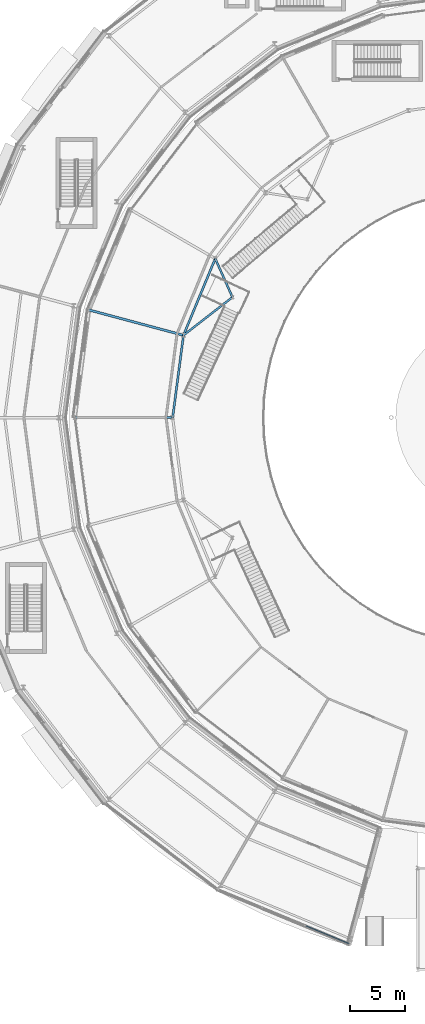
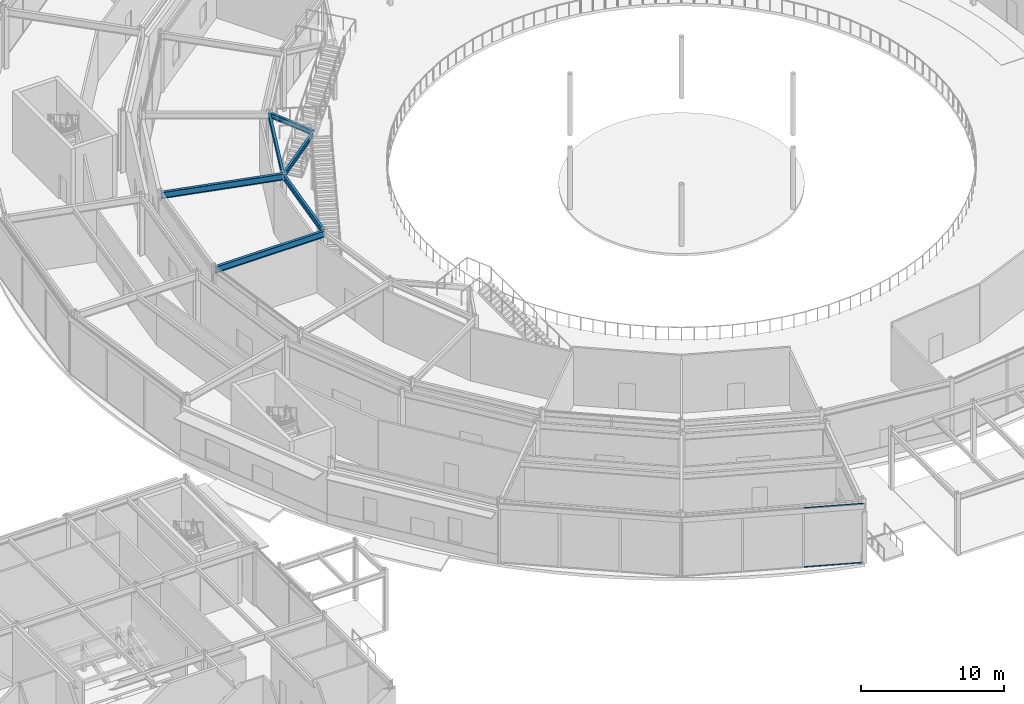
# One storey, part 40 of 168: 6 beams, 2 members, 1 element without a shape of its own.
"""IFC4 building model written with IfcOpenShell, lengths in metres."""

from ifc_helpers import new_model, si_unit, direction, frame, origin, origin_2d, place, context, subcontext, project, spatial, hollow_rectangle, i_section, extrude, material, material_profile, profile_set, type_object, element, aggregate, save


model = new_model("IFC4")

# Units and contexts
model_context = context("Model", 3, precision=1e-05, world=origin(), true_north=direction((0.0, 1.0)))
body_context = subcontext(model_context, "Body", "Model", "MODEL_VIEW")
ifc_project = project(units=[si_unit("LENGTHUNIT", "METRE"), si_unit("AREAUNIT", "SQUARE_METRE"), si_unit("VOLUMEUNIT", "CUBIC_METRE"), si_unit("PLANEANGLEUNIT", "RADIAN"), si_unit("MASSUNIT", "GRAM", prefix="KILO")], contexts=[model_context])

# Site, building, storey
site_placement = place(None, origin())
site = spatial("IfcSite", under=ifc_project, at=site_placement, CompositionType="ELEMENT")
building_placement = place(site_placement, origin())
building = spatial("IfcBuilding", under=site, at=building_placement, Name="Almandine Court Research Institute", CompositionType="ELEMENT")
storey_placement = place(building_placement, origin())
storey = spatial("IfcBuildingStorey", under=building, at=storey_placement, Name="L00", CompositionType="ELEMENT", Elevation=0.0)

# Beams
ifc_material_1 = material(Name="Steel ASTM A992 Grade 50", Category="steel")
ifc_material_profile_1 = material_profile(ifc_material_1, i_section(OverallWidth=0.18994140625, OverallDepth=0.45703125, WebThickness=0.009033203125, FlangeThickness=0.014892578125, at=origin_2d()), Name="W460x74")
ifc_profile_set_1 = profile_set([ifc_material_profile_1], Name="Steel ASTM A992 Grade 50")
beam_type_1 = type_object("IfcBeamType", Name="Beam-B-01", PredefinedType="BEAM", material=ifc_profile_set_1)
beam_1_placement = place(storey_placement, frame((62.05810546875, 70.39990234375, 4.841064453125), z_axis=(-0.382700732442, -0.923872366395, 0.0), x_axis=(0.923872366395, -0.382700732442, 0.0)))
element("IfcBeam", 1, at=beam_1_placement, inside=storey, type_object=beam_type_1, Name="L00 Atrium Gallery Edge Beam", PredefinedType="BEAM", context=body_context, shape_type="SweptSolid", body=[
    extrude(i_section(OverallWidth=0.18994140625, OverallDepth=0.45703125, WebThickness=0.009033203125, FlangeThickness=0.014892578125, at=origin_2d()), origin(), (0.0, 0.0, 1.0), 7.51806640625),
])
beam_2_placement = place(storey_placement, frame((59.180908203125, 63.4541015625, 4.841064453125), z_axis=(-0.130474672489, -0.991451642713, 0.0), x_axis=(0.991451642713, -0.130474672489, 0.0)))
element("IfcBeam", 2, at=beam_2_placement, inside=storey, type_object=beam_type_1, Name="L00 Atrium Gallery Edge Beam", PredefinedType="BEAM", context=body_context, shape_type="SweptSolid", body=[
    extrude(i_section(OverallWidth=0.18994140625, OverallDepth=0.45703125, WebThickness=0.009033203125, FlangeThickness=0.014892578125, at=origin_2d()), origin(), (0.0, 0.0, 1.0), 7.518310546875),
])
ifc_material_profile_2 = material_profile(ifc_material_1, i_section(OverallWidth=0.178955078125, OverallDepth=0.409912109375, WebThickness=0.009033203125, FlangeThickness=0.013916015625, at=origin_2d()), Name="W410x67")
ifc_profile_set_2 = profile_set([ifc_material_profile_2], Name="Steel ASTM A992 Grade 50")
beam_type_2 = type_object("IfcBeamType", Name="Beam-B-02", PredefinedType="JOIST", material=ifc_profile_set_2)
beam_3_placement = place(storey_placement, frame((63.616943359375, 66.904052734375, 4.864990234375), z_axis=(-0.407256671854, 0.913313748517, 0.0), x_axis=(-0.913313748517, -0.407256671854, 0.0)))
element("IfcBeam", 3, at=beam_3_placement, inside=storey, type_object=beam_type_2, Name="L00 Atrium Stair 4 Landing Support Beam 1", PredefinedType="JOIST", context=body_context, shape_type="SweptSolid", body=[
    extrude(i_section(OverallWidth=0.178955078125, OverallDepth=0.409912109375, WebThickness=0.009033203125, FlangeThickness=0.013916015625, at=origin_2d()), origin(), (0.0, 0.0, 1.0), 3.82763671875),
])
beam_4_placement = place(storey_placement, frame((63.616943359375, 66.904052734375, 4.864990234375), z_axis=(-0.789377948914, -0.613907528679, 0.0), x_axis=(0.613907528679, -0.789377948914, 0.0)))
element("IfcBeam", 4, at=beam_4_placement, inside=storey, type_object=beam_type_2, Name="L00 Atrium Stair 4 Landing Support Beam 2", PredefinedType="JOIST", context=body_context, shape_type="SweptSolid", body=[
    extrude(i_section(OverallWidth=0.178955078125, OverallDepth=0.409912109375, WebThickness=0.009033203125, FlangeThickness=0.013916015625, at=origin_2d()), origin(), (0.0, 0.0, 1.0), 5.61962890625),
])
ifc_material_profile_3 = material_profile(ifc_material_1, i_section(OverallWidth=0.2109375, OverallDepth=0.5390625, WebThickness=0.011962890625, FlangeThickness=0.01904296875, at=origin_2d()), Name="W530x109")
ifc_profile_set_3 = profile_set([ifc_material_profile_3], Name="Steel ASTM A992 Grade 50")
beam_type_3 = type_object("IfcBeamType", Name="Beam-G-04", PredefinedType="BEAM", material=ifc_profile_set_3)
beam_5_placement = place(storey_placement, frame((59.180908203125, 63.4541015625, 4.801025390625), z_axis=(-0.965908147944, 0.258885012576, 0.0), x_axis=(-0.258885012576, -0.965908147944, 0.0)))
element("IfcBeam", 5, at=beam_5_placement, inside=storey, type_object=beam_type_3, Name="L00 Atrium Gallery Radial Girder", PredefinedType="BEAM", context=body_context, shape_type="SweptSolid", body=[
    extrude(i_section(OverallWidth=0.2109375, OverallDepth=0.5390625, WebThickness=0.011962890625, FlangeThickness=0.01904296875, at=origin_2d()), origin(), (0.0, 0.0, 1.0), 8.849609375),
])
beam_6_placement = place(storey_placement, frame((58.199951171875, 56.0, 4.801025390625), z_axis=(-1.0, 0.0, 0.0), x_axis=(0.0, -1.0, 0.0)))
element("IfcBeam", 6, at=beam_6_placement, inside=storey, type_object=beam_type_3, Name="L00 Atrium Gallery Radial Girder", PredefinedType="BEAM", context=body_context, shape_type="SweptSolid", body=[
    extrude(i_section(OverallWidth=0.2109375, OverallDepth=0.5390625, WebThickness=0.011962890625, FlangeThickness=0.01904296875, at=origin_2d()), origin(), (0.0, 0.0, 1.0), 8.849853515625),
])

# Curtain wall, members
ifc_material_2 = material(Name="Unitised Curtain Wall Framing and Solar Glazing", Category="glass")
curtain_wall_type = type_object("IfcCurtainWallType", Name="CW-CWG-18", PredefinedType="USERDEFINED", material=ifc_material_2)
curtain_wall_placement = place(storey_placement, origin())
curtain_wall = element("IfcCurtainWall", 7, at=curtain_wall_placement, inside=storey, type_object=curtain_wall_type, Name="L00 Stacked-Ring Drum Outer Unitised Glazing 16", ObjectType="UNITISED GLAZING", PredefinedType="USERDEFINED")
ifc_material_3 = material(Name="Anodised Aluminium AW-6063-T6", Category="aluminium")
ifc_material_profile_4 = material_profile(ifc_material_3, hollow_rectangle(XDim=0.06005859375, YDim=0.110107421875, WallThickness=0.00390625, at=origin_2d()), Name="ALU RHS 60x110x4")
ifc_profile_set_4 = profile_set([ifc_material_profile_4], Name="Anodised Aluminium AW-6063-T6")
member_type = type_object("IfcMemberType", Name="CWTrn-60x110", PredefinedType="NOTDEFINED", material=ifc_profile_set_4)
member_1_placement = place(storey_placement, frame((74.16552734375, 8.345947265625, 0.030029296875), z_axis=(-0.923892933282, 0.382651078441, 0.0), x_axis=(-0.382651078441, -0.923892933282, 0.0)))
member_1 = element("IfcMember", 8, at=member_1_placement, type_object=member_type, Name="CWG-18 transom 1.1", ObjectType="TRANSOM", PredefinedType="USERDEFINED", context=body_context, shape_type="SweptSolid", body=[
    extrude(hollow_rectangle(XDim=0.06005859375, YDim=0.110107421875, WallThickness=0.00390625, at=origin_2d()), origin(), (0.0, 0.0, 1.0), 4.20263671875),
])
member_2_placement = place(storey_placement, frame((74.16552734375, 8.345947265625, 5.0400390625), z_axis=(-0.923892933282, 0.382651078441, 0.0), x_axis=(-0.382651078441, -0.923892933282, 0.0)))
member_2 = element("IfcMember", 9, at=member_2_placement, type_object=member_type, Name="CWG-18 transom 1.2", ObjectType="TRANSOM", PredefinedType="USERDEFINED", context=body_context, shape_type="SweptSolid", body=[
    extrude(hollow_rectangle(XDim=0.06005859375, YDim=0.110107421875, WallThickness=0.00390625, at=origin_2d()), origin(), (0.0, 0.0, 1.0), 4.20263671875),
])
aggregate(curtain_wall, [member_1, member_2])

save(model, "model.ifc")
